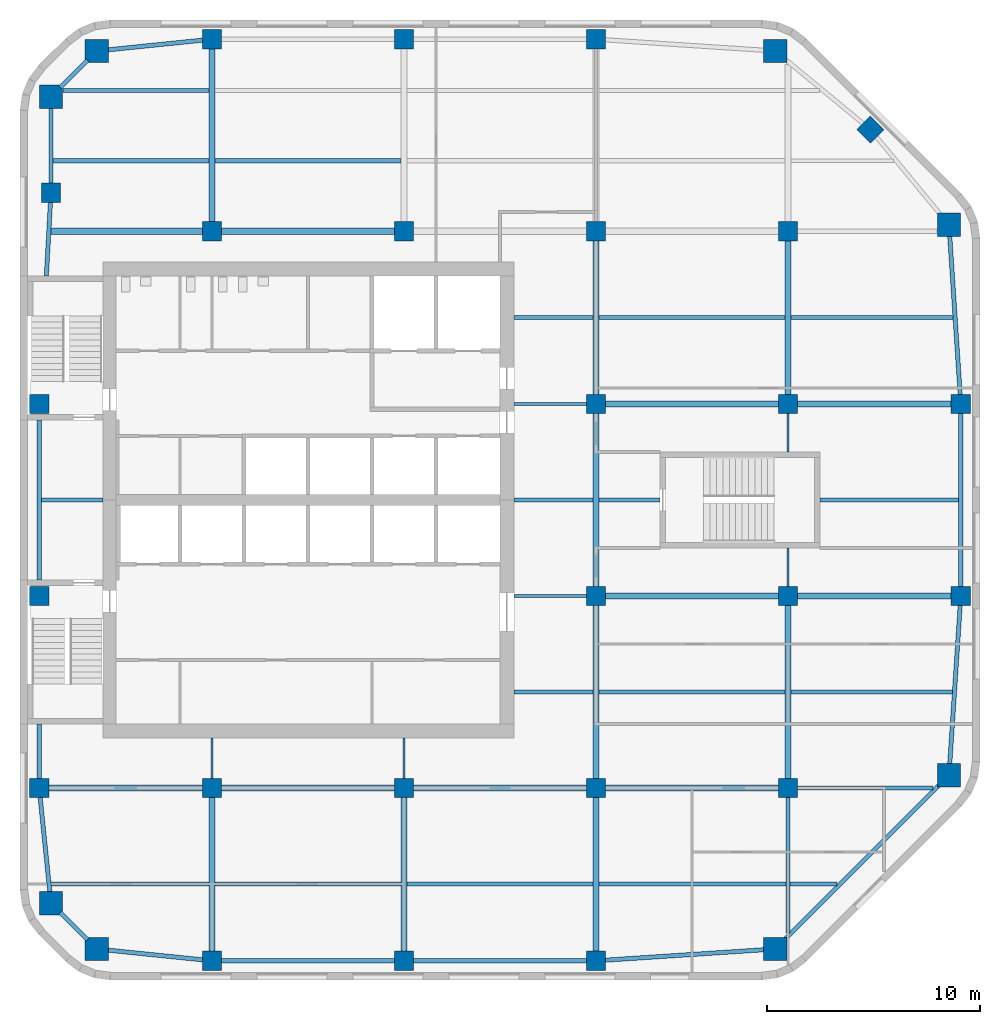
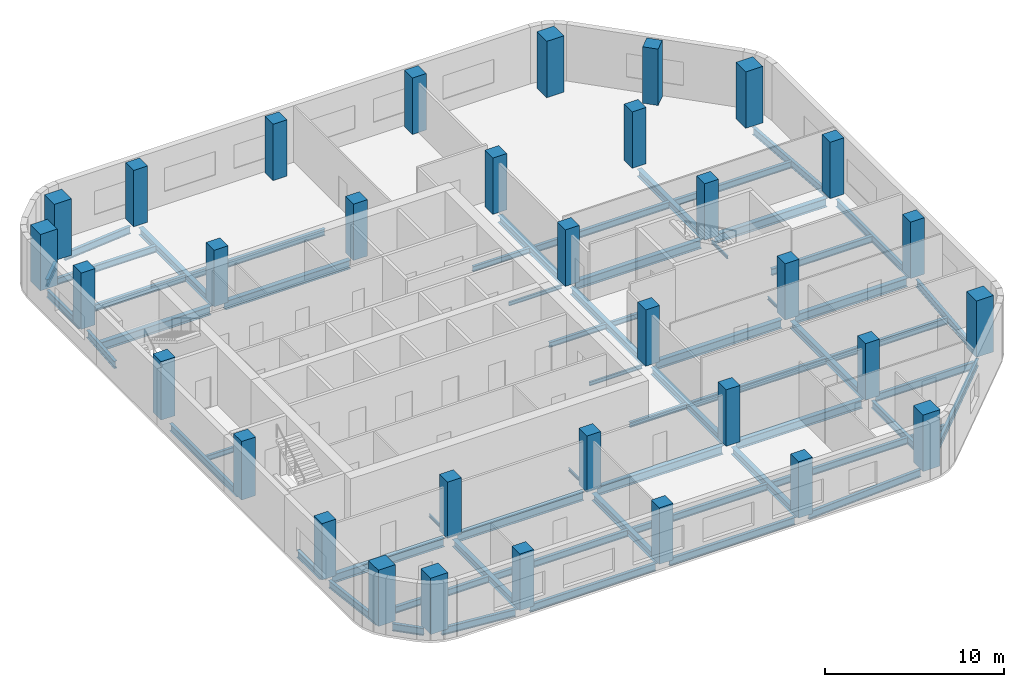
# One storey, part 1 of 7: 61 beams, 33 columns.
"""IFC4 building model written with IfcOpenShell, lengths in metres."""

from ifc_helpers import new_model, si_unit, direction, frame, origin, origin_2d, place, context, subcontext, project, spatial, rectangle, i_section, extrude, material, material_profile, profile_set, type_object, element, save


model = new_model("IFC4")

# Units and contexts
model_context = context("Model", 3, precision=1e-05, world=origin(), true_north=direction((0.0, 1.0)))
body_context = subcontext(model_context, "Body", "Model", "MODEL_VIEW")
ifc_project = project(units=[si_unit("LENGTHUNIT", "METRE"), si_unit("AREAUNIT", "SQUARE_METRE"), si_unit("VOLUMEUNIT", "CUBIC_METRE"), si_unit("PLANEANGLEUNIT", "RADIAN"), si_unit("MASSUNIT", "GRAM", prefix="KILO")], contexts=[model_context])

# Site, building, storey
site_placement = place(None, origin())
site = spatial("IfcSite", under=ifc_project, at=site_placement, CompositionType="ELEMENT")
building_placement = place(site_placement, origin())
building = spatial("IfcBuilding", under=site, at=building_placement, Name="Cinnabar Reach Civic Tower", CompositionType="ELEMENT")
storey_placement = place(building_placement, frame((0.0, 0.0, 169.0)))
storey = spatial("IfcBuildingStorey", under=building, at=storey_placement, Name="L40", CompositionType="ELEMENT", Elevation=169.0)

# Columns
ifc_material_1 = material(Name="Concrete C80", Category="concrete")
ifc_material_profile_1 = material_profile(ifc_material_1, rectangle(XDim=1.1, YDim=1.1, at=origin_2d()), Name="RC1100")
ifc_profile_set_1 = profile_set([ifc_material_profile_1], Name="Concrete C80")
column_type_1 = type_object("IfcColumnType", Name="RC1100 column R 240", PredefinedType="COLUMN", material=ifc_profile_set_1)
for number, where, z_axis, x_axis, name in (
    (1, (3.6019, 10.4531, 0.0), (0.0, 0.0, 1.0), (1.0, 0.0, 0.0), "Column T1-Z3-CC0"),
    (2, (35.3981, 10.4531, 0.0), (0.0, 0.0, 1.0), (1.0, 0.0, 0.0), "Column T1-Z3-CC1"),
    (3, (43.5469, 18.6019, 0.0), (0.0, 0.0, 1.0), (1.0, 0.0, 0.0), "Column T1-Z3-CC2"),
    (4, (43.5469, 44.3981, 0.0), (0.0, 0.0, 1.0), (1.0, 0.0, 0.0), "Column T1-Z3-CC3"),
    (5, (35.3981, 52.5469, 0.0), (0.0, 0.0, 1.0), (1.0, 0.0, 0.0), "Column T1-Z3-CC4"),
    (6, (3.6019, 52.5469, 0.0), (0.0, 0.0, 1.0), (1.0, 0.0, 0.0), "Column T1-Z3-CC5"),
    (7, (1.4531, 50.3981, 0.0), (0.0, 0.0, 1.0), (1.0, 0.0, 0.0), "Column T1-Z3-CC6"),
    (8, (1.4531, 12.6019, 0.0), (0.0, 0.0, 1.0), (1.0, 0.0, 0.0), "Column T1-Z3-CC7"),
):
    element("IfcColumn", number, at=place(storey_placement, frame(where, z_axis=z_axis, x_axis=x_axis)), inside=storey, type_object=column_type_1, Name=name, PredefinedType="COLUMN", context=body_context, shape_type="SweptSolid", body=[
        extrude(rectangle(XDim=1.1, YDim=1.1, at=origin_2d()), origin(), (0.0, 0.0, 1.0), 3.85),
    ])
ifc_material_2 = material(Name="Concrete C70", Category="concrete")
ifc_material_profile_2 = material_profile(ifc_material_2, rectangle(XDim=0.9, YDim=0.9, at=origin_2d()), Name="RC900")
ifc_profile_set_2 = profile_set([ifc_material_profile_2], Name="Concrete C70")
column_type_2 = type_object("IfcColumnType", Name="RC900 column R 240", PredefinedType="COLUMN", material=ifc_profile_set_2)
for number, where, z_axis, x_axis, name in (
    (9, (9.0, 9.9, 0.0), (0.0, 0.0, 1.0), (1.0, 0.0, 0.0), "Column T1-Z3-F0-1"),
    (10, (18.0, 9.9, 0.0), (0.0, 0.0, 1.0), (1.0, 0.0, 0.0), "Column T1-Z3-F0-2"),
    (11, (27.0, 9.9, 0.0), (0.0, 0.0, 1.0), (1.0, 0.0, 0.0), "Column T1-Z3-F0-3"),
    (12, (44.1, 27.0, 0.0), (0.0, 0.0, 1.0), (1.0, 0.0, 0.0), "Column T1-Z3-F2-3"),
    (13, (44.1, 36.0, 0.0), (0.0, 0.0, 1.0), (1.0, 0.0, 0.0), "Column T1-Z3-F2-4"),
    (14, (39.8636, 48.8636, 0.0), (0.0, 0.0, 1.0), (0.707106781187, 0.707106781187, 0.0), "Column T1-Z3-F3-M"),
    (15, (9.0, 53.1, 0.0), (0.0, 0.0, 1.0), (1.0, 0.0, 0.0), "Column T1-Z3-F4-1"),
    (16, (18.0, 53.1, 0.0), (0.0, 0.0, 1.0), (1.0, 0.0, 0.0), "Column T1-Z3-F4-2"),
    (17, (27.0, 53.1, 0.0), (0.0, 0.0, 1.0), (1.0, 0.0, 0.0), "Column T1-Z3-F4-3"),
    (18, (0.9, 18.0, 0.0), (0.0, 0.0, 1.0), (1.0, 0.0, 0.0), "Column T1-Z3-F6-2"),
):
    element("IfcColumn", number, at=place(storey_placement, frame(where, z_axis=z_axis, x_axis=x_axis)), inside=storey, type_object=column_type_2, Name=name, PredefinedType="COLUMN", context=body_context, shape_type="SweptSolid", body=[
        extrude(rectangle(XDim=0.9, YDim=0.9, at=origin_2d()), origin(), (0.0, 0.0, 1.0), 3.85),
    ])
for number, where, z_axis, x_axis, name in (
    (19, (0.9, 27.0, 0.0), (0.0, 0.0, 1.0), (1.0, 0.0, 0.0), "Column T1-Z3-F6-3"),
    (20, (0.9, 36.0, 0.0), (0.0, 0.0, 1.0), (1.0, 0.0, 0.0), "Column T1-Z3-F6-4"),
):
    element("IfcColumn", number, at=place(storey_placement, frame(where, z_axis=z_axis, x_axis=x_axis)), inside=storey, type_object=column_type_2, Name=name, PredefinedType="COLUMN", context=body_context, shape_type="SweptSolid", body=[
        extrude(rectangle(XDim=0.9, YDim=0.9, at=origin_2d()), origin(), (0.0, 0.0, 1.0), 4.0),
    ])
for number, where, z_axis, x_axis, name in (
    (21, (1.4531, 45.8981, 0.0), (0.0, 0.0, 1.0), (1.0, 0.0, 0.0), "Column T1-Z3-F6-5"),
    (22, (9.0, 18.0, 0.0), (0.0, 0.0, 1.0), (1.0, 0.0, 0.0), "Column T1-Z3-I9_18"),
    (23, (9.0, 44.1, 0.0), (0.0, 0.0, 1.0), (1.0, 0.0, 0.0), "Column T1-Z3-I9_45"),
    (24, (18.0, 18.0, 0.0), (0.0, 0.0, 1.0), (1.0, 0.0, 0.0), "Column T1-Z3-I18_18"),
    (25, (18.0, 44.1, 0.0), (0.0, 0.0, 1.0), (1.0, 0.0, 0.0), "Column T1-Z3-I18_45"),
    (26, (27.0, 18.0, 0.0), (0.0, 0.0, 1.0), (1.0, 0.0, 0.0), "Column T1-Z3-I27_18"),
    (27, (27.0, 27.0, 0.0), (0.0, 0.0, 1.0), (1.0, 0.0, 0.0), "Column T1-Z3-I27_27"),
    (28, (27.0, 36.0, 0.0), (0.0, 0.0, 1.0), (1.0, 0.0, 0.0), "Column T1-Z3-I27_36"),
    (29, (27.0, 44.1, 0.0), (0.0, 0.0, 1.0), (1.0, 0.0, 0.0), "Column T1-Z3-I27_45"),
    (30, (36.0, 18.0, 0.0), (0.0, 0.0, 1.0), (1.0, 0.0, 0.0), "Column T1-Z3-I36_18"),
    (31, (36.0, 27.0, 0.0), (0.0, 0.0, 1.0), (1.0, 0.0, 0.0), "Column T1-Z3-I36_27"),
    (32, (36.0, 36.0, 0.0), (0.0, 0.0, 1.0), (1.0, 0.0, 0.0), "Column T1-Z3-I36_36"),
    (33, (36.0, 44.1, 0.0), (0.0, 0.0, 1.0), (1.0, 0.0, 0.0), "Column T1-Z3-I36_45"),
):
    element("IfcColumn", number, at=place(storey_placement, frame(where, z_axis=z_axis, x_axis=x_axis)), inside=storey, type_object=column_type_2, Name=name, PredefinedType="COLUMN", context=body_context, shape_type="SweptSolid", body=[
        extrude(rectangle(XDim=0.9, YDim=0.9, at=origin_2d()), origin(), (0.0, 0.0, 1.0), 3.85),
    ])

# Beams
ifc_material_3 = material(Name="Steel Q355B", Category="steel")
ifc_material_profile_3 = material_profile(ifc_material_3, i_section(OverallWidth=0.3, OverallDepth=0.488, WebThickness=0.011, FlangeThickness=0.018, FilletRadius=0.016, at=origin_2d()), Name="HM488x300x11x18")
ifc_profile_set_3 = profile_set([ifc_material_profile_3], Name="Steel Q355B")
beam_type_1 = type_object("IfcBeamType", Name="HM488x300x11x18 beam R 180", PredefinedType="BEAM", material=ifc_profile_set_3)
beam_1_placement = place(storey_placement, frame((9.0, 10.352, -0.394), z_axis=(0.0, 1.0, 0.0), x_axis=(-1.0, 0.0, 0.0)))
element("IfcBeam", 34, at=beam_1_placement, inside=storey, type_object=beam_type_1, Name="Girder T1 L40 1", PredefinedType="BEAM", context=body_context, shape_type="SweptSolid", body=[
    extrude(i_section(OverallWidth=0.3, OverallDepth=0.488, WebThickness=0.011, FlangeThickness=0.018, FilletRadius=0.016, at=origin_2d()), origin(), (0.0, 0.0, 1.0), 7.196),
])
beam_2_placement = place(storey_placement, frame((9.0, 44.552, -0.394), z_axis=(0.0, 1.0, 0.0), x_axis=(-1.0, 0.0, 0.0)))
element("IfcBeam", 35, at=beam_2_placement, inside=storey, type_object=beam_type_1, Name="Girder T1 L40 3", PredefinedType="BEAM", context=body_context, shape_type="SweptSolid", body=[
    extrude(i_section(OverallWidth=0.3, OverallDepth=0.488, WebThickness=0.011, FlangeThickness=0.018, FilletRadius=0.016, at=origin_2d()), origin(), (0.0, 0.0, 1.0), 8.096),
])
for number, where, z_axis, x_axis, name in (
    (36, (18.0, 10.352, -0.394), (0.0, 1.0, 0.0), (-1.0, 0.0, 0.0), "Girder T1 L40 4"),
    (37, (27.0, 10.352, -0.394), (0.0, 1.0, 0.0), (-1.0, 0.0, 0.0), "Girder T1 L40 7"),
):
    element("IfcBeam", number, at=place(storey_placement, frame(where, z_axis=z_axis, x_axis=x_axis)), inside=storey, type_object=beam_type_1, Name=name, PredefinedType="BEAM", context=body_context, shape_type="SweptSolid", body=[
        extrude(i_section(OverallWidth=0.3, OverallDepth=0.488, WebThickness=0.011, FlangeThickness=0.018, FilletRadius=0.016, at=origin_2d()), origin(), (0.0, 0.0, 1.0), 7.196),
    ])
for number, where, z_axis, x_axis, name in (
    (38, (27.0, 18.452, -0.394), (0.0, 1.0, 0.0), (-1.0, 0.0, 0.0), "Girder T1 L40 8"),
    (39, (27.0, 27.452, -0.394), (0.0, 1.0, 0.0), (-1.0, 0.0, 0.0), "Girder T1 L40 9"),
):
    element("IfcBeam", number, at=place(storey_placement, frame(where, z_axis=z_axis, x_axis=x_axis)), inside=storey, type_object=beam_type_1, Name=name, PredefinedType="BEAM", context=body_context, shape_type="SweptSolid", body=[
        extrude(i_section(OverallWidth=0.3, OverallDepth=0.488, WebThickness=0.011, FlangeThickness=0.018, FilletRadius=0.016, at=origin_2d()), origin(), (0.0, 0.0, 1.0), 8.096),
    ])
beam_3_placement = place(storey_placement, frame((27.0, 36.452, -0.394), z_axis=(0.0, 1.0, 0.0), x_axis=(-1.0, 0.0, 0.0)))
element("IfcBeam", 40, at=beam_3_placement, inside=storey, type_object=beam_type_1, Name="Girder T1 L40 10", PredefinedType="BEAM", context=body_context, shape_type="SweptSolid", body=[
    extrude(i_section(OverallWidth=0.3, OverallDepth=0.488, WebThickness=0.011, FlangeThickness=0.018, FilletRadius=0.016, at=origin_2d()), origin(), (0.0, 0.0, 1.0), 7.196),
])
beam_4_placement = place(storey_placement, frame((36.0, 18.452, -0.394), z_axis=(0.0, 1.0, 0.0), x_axis=(-1.0, 0.0, 0.0)))
element("IfcBeam", 41, at=beam_4_placement, inside=storey, type_object=beam_type_1, Name="Girder T1 L40 13", PredefinedType="BEAM", context=body_context, shape_type="SweptSolid", body=[
    extrude(i_section(OverallWidth=0.3, OverallDepth=0.488, WebThickness=0.011, FlangeThickness=0.018, FilletRadius=0.016, at=origin_2d()), origin(), (0.0, 0.0, 1.0), 8.096),
])
beam_5_placement = place(storey_placement, frame((36.0, 36.452, -0.394), z_axis=(0.0, 1.0, 0.0), x_axis=(-1.0, 0.0, 0.0)))
element("IfcBeam", 42, at=beam_5_placement, inside=storey, type_object=beam_type_1, Name="Girder T1 L40 16", PredefinedType="BEAM", context=body_context, shape_type="SweptSolid", body=[
    extrude(i_section(OverallWidth=0.3, OverallDepth=0.488, WebThickness=0.011, FlangeThickness=0.018, FilletRadius=0.016, at=origin_2d()), origin(), (0.0, 0.0, 1.0), 7.196),
])
ifc_material_profile_4 = material_profile(ifc_material_3, i_section(OverallWidth=0.3, OverallDepth=0.588, WebThickness=0.012, FlangeThickness=0.02, FilletRadius=0.016, at=origin_2d()), Name="HM588x300x12x20")
ifc_profile_set_4 = profile_set([ifc_material_profile_4], Name="Steel Q355B")
beam_type_2 = type_object("IfcBeamType", Name="HM588x300x12x20 beam R 180", PredefinedType="BEAM", material=ifc_profile_set_4)
beam_6_placement = place(storey_placement, frame((1.352, 18.0, -0.444), z_axis=(1.0, 0.0, 0.0), x_axis=(0.0, 1.0, 0.0)))
element("IfcBeam", 43, at=beam_6_placement, inside=storey, type_object=beam_type_2, Name="Girder T1 L40 1", PredefinedType="BEAM", context=body_context, shape_type="SweptSolid", body=[
    extrude(i_section(OverallWidth=0.3, OverallDepth=0.588, WebThickness=0.012, FlangeThickness=0.02, FilletRadius=0.016, at=origin_2d()), origin(), (0.0, 0.0, 1.0), 7.196),
])
for number, where, z_axis, x_axis, name in (
    (44, (9.452, 18.0, -0.444), (1.0, 0.0, 0.0), (0.0, 1.0, 0.0), "Girder T1 L40 2"),
    (45, (18.452, 18.0, -0.444), (1.0, 0.0, 0.0), (0.0, 1.0, 0.0), "Girder T1 L40 3"),
    (46, (27.452, 18.0, -0.444), (1.0, 0.0, 0.0), (0.0, 1.0, 0.0), "Girder T1 L40 4"),
    (47, (27.452, 27.0, -0.444), (1.0, 0.0, 0.0), (0.0, 1.0, 0.0), "Girder T1 L40 7"),
):
    element("IfcBeam", number, at=place(storey_placement, frame(where, z_axis=z_axis, x_axis=x_axis)), inside=storey, type_object=beam_type_2, Name=name, PredefinedType="BEAM", context=body_context, shape_type="SweptSolid", body=[
        extrude(i_section(OverallWidth=0.3, OverallDepth=0.588, WebThickness=0.012, FlangeThickness=0.02, FilletRadius=0.016, at=origin_2d()), origin(), (0.0, 0.0, 1.0), 8.096),
    ])
beam_7_placement = place(storey_placement, frame((36.452, 27.0, -0.444), z_axis=(1.0, 0.0, 0.0), x_axis=(0.0, 1.0, 0.0)))
element("IfcBeam", 48, at=beam_7_placement, inside=storey, type_object=beam_type_2, Name="Girder T1 L40 8", PredefinedType="BEAM", context=body_context, shape_type="SweptSolid", body=[
    extrude(i_section(OverallWidth=0.3, OverallDepth=0.588, WebThickness=0.012, FlangeThickness=0.02, FilletRadius=0.016, at=origin_2d()), origin(), (0.0, 0.0, 1.0), 7.196),
])
beam_8_placement = place(storey_placement, frame((27.452, 36.0, -0.444), z_axis=(1.0, 0.0, 0.0), x_axis=(0.0, 1.0, 0.0)))
element("IfcBeam", 49, at=beam_8_placement, inside=storey, type_object=beam_type_2, Name="Girder T1 L40 10", PredefinedType="BEAM", context=body_context, shape_type="SweptSolid", body=[
    extrude(i_section(OverallWidth=0.3, OverallDepth=0.588, WebThickness=0.012, FlangeThickness=0.02, FilletRadius=0.016, at=origin_2d()), origin(), (0.0, 0.0, 1.0), 8.096),
])
beam_9_placement = place(storey_placement, frame((36.452, 36.0, -0.444), z_axis=(1.0, 0.0, 0.0), x_axis=(0.0, 1.0, 0.0)))
element("IfcBeam", 50, at=beam_9_placement, inside=storey, type_object=beam_type_2, Name="Girder T1 L40 11", PredefinedType="BEAM", context=body_context, shape_type="SweptSolid", body=[
    extrude(i_section(OverallWidth=0.3, OverallDepth=0.588, WebThickness=0.012, FlangeThickness=0.02, FilletRadius=0.016, at=origin_2d()), origin(), (0.0, 0.0, 1.0), 7.196),
])
beam_10_placement = place(storey_placement, frame((1.4548, 44.1, -0.444), z_axis=(1.0, 0.0, 0.0), x_axis=(0.0, 1.0, 0.0)))
element("IfcBeam", 51, at=beam_10_placement, inside=storey, type_object=beam_type_2, Name="Girder T1 L40 12", PredefinedType="BEAM", context=body_context, shape_type="SweptSolid", body=[
    extrude(i_section(OverallWidth=0.3, OverallDepth=0.588, WebThickness=0.012, FlangeThickness=0.02, FilletRadius=0.016, at=origin_2d()), origin(), (0.0, 0.0, 1.0), 7.0932),
])
beam_11_placement = place(storey_placement, frame((9.452, 44.1, -0.444), z_axis=(1.0, 0.0, 0.0), x_axis=(0.0, 1.0, 0.0)))
element("IfcBeam", 52, at=beam_11_placement, inside=storey, type_object=beam_type_2, Name="Girder T1 L40 13", PredefinedType="BEAM", context=body_context, shape_type="SweptSolid", body=[
    extrude(i_section(OverallWidth=0.3, OverallDepth=0.588, WebThickness=0.012, FlangeThickness=0.02, FilletRadius=0.016, at=origin_2d()), origin(), (0.0, 0.0, 1.0), 8.096),
])
ifc_material_profile_5 = material_profile(ifc_material_3, i_section(OverallWidth=0.099, OverallDepth=0.198, WebThickness=0.0045, FlangeThickness=0.007, FilletRadius=0.013, at=origin_2d()), Name="HN200x100x5.5x8")
ifc_profile_set_5 = profile_set([ifc_material_profile_5], Name="Steel Q355B")
beam_type_3 = type_object("IfcBeamType", Name="HN200x100x5.5x8 beam R 180", PredefinedType="BEAM", material=ifc_profile_set_5)
for number, where, z_axis, x_axis, name in (
    (53, (9.0, 18.452, -0.249), (0.0, 1.0, 0.0), (-1.0, 0.0, 0.0), "Girder T1 L40 2"),
    (54, (18.0, 18.452, -0.249), (0.0, 1.0, 0.0), (-1.0, 0.0, 0.0), "Girder T1 L40 5"),
):
    element("IfcBeam", number, at=place(storey_placement, frame(where, z_axis=z_axis, x_axis=x_axis)), inside=storey, type_object=beam_type_3, Name=name, PredefinedType="BEAM", context=body_context, shape_type="SweptSolid", body=[
        extrude(i_section(OverallWidth=0.099, OverallDepth=0.198, WebThickness=0.0045, FlangeThickness=0.007, FilletRadius=0.013, at=origin_2d()), origin(), (0.0, 0.0, 1.0), 1.896),
    ])
for number, where, z_axis, x_axis, name in (
    (55, (36.0, 27.452, -0.249), (0.0, 1.0, 0.0), (-1.0, 0.0, 0.0), "Girder T1 L40 14"),
    (56, (36.0, 33.752, -0.249), (0.0, 1.0, 0.0), (-1.0, 0.0, 0.0), "Girder T1 L40 15"),
):
    element("IfcBeam", number, at=place(storey_placement, frame(where, z_axis=z_axis, x_axis=x_axis)), inside=storey, type_object=beam_type_3, Name=name, PredefinedType="BEAM", context=body_context, shape_type="SweptSolid", body=[
        extrude(i_section(OverallWidth=0.099, OverallDepth=0.198, WebThickness=0.0045, FlangeThickness=0.007, FilletRadius=0.013, at=origin_2d()), origin(), (0.0, 0.0, 1.0), 1.796),
    ])
ifc_material_profile_6 = material_profile(ifc_material_3, i_section(OverallWidth=0.124, OverallDepth=0.248, WebThickness=0.005, FlangeThickness=0.008, FilletRadius=0.013, at=origin_2d()), Name="HN250x125x6x9")
ifc_profile_set_6 = profile_set([ifc_material_profile_6], Name="Steel Q355B")
beam_type_4 = type_object("IfcBeamType", Name="HN250x125x6x9 beam R 180", PredefinedType="BEAM", material=ifc_profile_set_6)
for number, where, z_axis, x_axis, name in (
    (57, (23.152, 27.0, -0.274), (1.0, 0.0, 0.0), (0.0, 1.0, 0.0), "Girder T1 L40 6"),
    (58, (23.152, 36.0, -0.274), (1.0, 0.0, 0.0), (0.0, 1.0, 0.0), "Girder T1 L40 9"),
):
    element("IfcBeam", number, at=place(storey_placement, frame(where, z_axis=z_axis, x_axis=x_axis)), inside=storey, type_object=beam_type_4, Name=name, PredefinedType="BEAM", context=body_context, shape_type="SweptSolid", body=[
        extrude(i_section(OverallWidth=0.124, OverallDepth=0.248, WebThickness=0.005, FlangeThickness=0.008, FilletRadius=0.013, at=origin_2d()), origin(), (0.0, 0.0, 1.0), 3.396),
    ])
ifc_material_profile_7 = material_profile(ifc_material_3, i_section(OverallWidth=0.175, OverallDepth=0.35, WebThickness=0.007, FlangeThickness=0.011, FilletRadius=0.013, at=origin_2d()), Name="HN350x175x7x11")
ifc_profile_set_7 = profile_set([ifc_material_profile_7], Name="Steel Q355B")
beam_type_5 = type_object("IfcBeamType", Name="HN350x175x7x11 beam R 180", PredefinedType="BEAM", material=ifc_profile_set_7)
beam_12_placement = place(storey_placement, frame((36.102, 13.5, -0.325), z_axis=(1.0, 0.0, 0.0), x_axis=(0.0, 1.0, 0.0)))
element("IfcBeam", 59, at=beam_12_placement, inside=storey, type_object=beam_type_5, Name="Secondary beam T1 L40 5", PredefinedType="BEAM", context=body_context, shape_type="SweptSolid", body=[
    extrude(i_section(OverallWidth=0.175, OverallDepth=0.35, WebThickness=0.007, FlangeThickness=0.011, FilletRadius=0.013, at=origin_2d()), origin(), (0.0, 0.0, 1.0), 2.1988),
])
beam_13_placement = place(storey_placement, frame((23.152, 22.5, -0.325), z_axis=(1.0, 0.0, 0.0), x_axis=(0.0, 1.0, 0.0)))
element("IfcBeam", 60, at=beam_13_placement, inside=storey, type_object=beam_type_5, Name="Secondary beam T1 L40 6", PredefinedType="BEAM", context=body_context, shape_type="SweptSolid", body=[
    extrude(i_section(OverallWidth=0.175, OverallDepth=0.35, WebThickness=0.007, FlangeThickness=0.011, FilletRadius=0.013, at=origin_2d()), origin(), (0.0, 0.0, 1.0), 3.696),
])
beam_14_placement = place(storey_placement, frame((1.002, 31.5, -0.325), z_axis=(1.0, 0.0, 0.0), x_axis=(0.0, 1.0, 0.0)))
element("IfcBeam", 61, at=beam_14_placement, inside=storey, type_object=beam_type_5, Name="Secondary beam T1 L40 9", PredefinedType="BEAM", context=body_context, shape_type="SweptSolid", body=[
    extrude(i_section(OverallWidth=0.175, OverallDepth=0.35, WebThickness=0.007, FlangeThickness=0.011, FilletRadius=0.013, at=origin_2d()), origin(), (0.0, 0.0, 1.0), 2.896),
])
beam_15_placement = place(storey_placement, frame((23.152, 31.5, -0.325), z_axis=(1.0, 0.0, 0.0), x_axis=(0.0, 1.0, 0.0)))
element("IfcBeam", 62, at=beam_15_placement, inside=storey, type_object=beam_type_5, Name="Secondary beam T1 L40 10", PredefinedType="BEAM", context=body_context, shape_type="SweptSolid", body=[
    extrude(i_section(OverallWidth=0.175, OverallDepth=0.35, WebThickness=0.007, FlangeThickness=0.011, FilletRadius=0.013, at=origin_2d()), origin(), (0.0, 0.0, 1.0), 3.696),
])
beam_16_placement = place(storey_placement, frame((27.152, 31.5, -0.325), z_axis=(1.0, 0.0, 0.0), x_axis=(0.0, 1.0, 0.0)))
element("IfcBeam", 63, at=beam_16_placement, inside=storey, type_object=beam_type_5, Name="Secondary beam T1 L40 11", PredefinedType="BEAM", context=body_context, shape_type="SweptSolid", body=[
    extrude(i_section(OverallWidth=0.175, OverallDepth=0.35, WebThickness=0.007, FlangeThickness=0.011, FilletRadius=0.013, at=origin_2d()), origin(), (0.0, 0.0, 1.0), 2.846),
])
beam_17_placement = place(storey_placement, frame((23.152, 40.05, -0.325), z_axis=(1.0, 0.0, 0.0), x_axis=(0.0, 1.0, 0.0)))
element("IfcBeam", 64, at=beam_17_placement, inside=storey, type_object=beam_type_5, Name="Secondary beam T1 L40 13", PredefinedType="BEAM", context=body_context, shape_type="SweptSolid", body=[
    extrude(i_section(OverallWidth=0.175, OverallDepth=0.35, WebThickness=0.007, FlangeThickness=0.011, FilletRadius=0.013, at=origin_2d()), origin(), (0.0, 0.0, 1.0), 3.696),
])
ifc_material_profile_8 = material_profile(ifc_material_3, i_section(OverallWidth=0.2, OverallDepth=0.45, WebThickness=0.009, FlangeThickness=0.014, FilletRadius=0.016, at=origin_2d()), Name="HN450x200x9x14")
ifc_profile_set_8 = profile_set([ifc_material_profile_8], Name="Steel Q355B")
beam_type_6 = type_object("IfcBeamType", Name="HN450x200x9x14 beam R 180", PredefinedType="BEAM", material=ifc_profile_set_8)
beam_18_placement = place(storey_placement, frame((1.4636, 13.5, -0.375), z_axis=(1.0, 0.0, 0.0), x_axis=(0.0, 1.0, 0.0)))
element("IfcBeam", 65, at=beam_18_placement, inside=storey, type_object=beam_type_6, Name="Secondary beam T1 L40 1", PredefinedType="BEAM", context=body_context, shape_type="SweptSolid", body=[
    extrude(i_section(OverallWidth=0.2, OverallDepth=0.45, WebThickness=0.009, FlangeThickness=0.014, FilletRadius=0.016, at=origin_2d()), origin(), (0.0, 0.0, 1.0), 7.3844),
])
for number, where, z_axis, x_axis, name in (
    (66, (9.152, 13.5, -0.375), (1.0, 0.0, 0.0), (0.0, 1.0, 0.0), "Secondary beam T1 L40 2"),
    (67, (18.152, 13.5, -0.375), (1.0, 0.0, 0.0), (0.0, 1.0, 0.0), "Secondary beam T1 L40 3"),
):
    element("IfcBeam", number, at=place(storey_placement, frame(where, z_axis=z_axis, x_axis=x_axis)), inside=storey, type_object=beam_type_6, Name=name, PredefinedType="BEAM", context=body_context, shape_type="SweptSolid", body=[
        extrude(i_section(OverallWidth=0.2, OverallDepth=0.45, WebThickness=0.009, FlangeThickness=0.014, FilletRadius=0.016, at=origin_2d()), origin(), (0.0, 0.0, 1.0), 8.696),
    ])
beam_19_placement = place(storey_placement, frame((27.152, 13.5, -0.375), z_axis=(1.0, 0.0, 0.0), x_axis=(0.0, 1.0, 0.0)))
element("IfcBeam", 68, at=beam_19_placement, inside=storey, type_object=beam_type_6, Name="Secondary beam T1 L40 4", PredefinedType="BEAM", context=body_context, shape_type="SweptSolid", body=[
    extrude(i_section(OverallWidth=0.2, OverallDepth=0.45, WebThickness=0.009, FlangeThickness=0.014, FilletRadius=0.016, at=origin_2d()), origin(), (0.0, 0.0, 1.0), 8.746),
])
beam_20_placement = place(storey_placement, frame((27.152, 22.5, -0.375), z_axis=(1.0, 0.0, 0.0), x_axis=(0.0, 1.0, 0.0)))
element("IfcBeam", 69, at=beam_20_placement, inside=storey, type_object=beam_type_6, Name="Secondary beam T1 L40 7", PredefinedType="BEAM", context=body_context, shape_type="SweptSolid", body=[
    extrude(i_section(OverallWidth=0.2, OverallDepth=0.45, WebThickness=0.009, FlangeThickness=0.014, FilletRadius=0.016, at=origin_2d()), origin(), (0.0, 0.0, 1.0), 8.696),
])
beam_21_placement = place(storey_placement, frame((36.152, 22.5, -0.375), z_axis=(1.0, 0.0, 0.0), x_axis=(0.0, 1.0, 0.0)))
element("IfcBeam", 70, at=beam_21_placement, inside=storey, type_object=beam_type_6, Name="Secondary beam T1 L40 8", PredefinedType="BEAM", context=body_context, shape_type="SweptSolid", body=[
    extrude(i_section(OverallWidth=0.2, OverallDepth=0.45, WebThickness=0.009, FlangeThickness=0.014, FilletRadius=0.016, at=origin_2d()), origin(), (0.0, 0.0, 1.0), 7.5494),
])
beam_22_placement = place(storey_placement, frame((37.502, 31.5, -0.375), z_axis=(1.0, 0.0, 0.0), x_axis=(0.0, 1.0, 0.0)))
element("IfcBeam", 71, at=beam_22_placement, inside=storey, type_object=beam_type_6, Name="Secondary beam T1 L40 12", PredefinedType="BEAM", context=body_context, shape_type="SweptSolid", body=[
    extrude(i_section(OverallWidth=0.2, OverallDepth=0.45, WebThickness=0.009, FlangeThickness=0.014, FilletRadius=0.016, at=origin_2d()), origin(), (0.0, 0.0, 1.0), 6.496),
])
beam_23_placement = place(storey_placement, frame((27.152, 40.05, -0.375), z_axis=(1.0, 0.0, 0.0), x_axis=(0.0, 1.0, 0.0)))
element("IfcBeam", 72, at=beam_23_placement, inside=storey, type_object=beam_type_6, Name="Secondary beam T1 L40 14", PredefinedType="BEAM", context=body_context, shape_type="SweptSolid", body=[
    extrude(i_section(OverallWidth=0.2, OverallDepth=0.45, WebThickness=0.009, FlangeThickness=0.014, FilletRadius=0.016, at=origin_2d()), origin(), (0.0, 0.0, 1.0), 8.696),
])
beam_24_placement = place(storey_placement, frame((36.152, 40.05, -0.375), z_axis=(1.0, 0.0, 0.0), x_axis=(0.0, 1.0, 0.0)))
element("IfcBeam", 73, at=beam_24_placement, inside=storey, type_object=beam_type_6, Name="Secondary beam T1 L40 15", PredefinedType="BEAM", context=body_context, shape_type="SweptSolid", body=[
    extrude(i_section(OverallWidth=0.2, OverallDepth=0.45, WebThickness=0.009, FlangeThickness=0.014, FilletRadius=0.016, at=origin_2d()), origin(), (0.0, 0.0, 1.0), 7.579),
])
beam_25_placement = place(storey_placement, frame((1.5551, 47.4, -0.375), z_axis=(1.0, 0.0, 0.0), x_axis=(0.0, 1.0, 0.0)))
element("IfcBeam", 74, at=beam_25_placement, inside=storey, type_object=beam_type_6, Name="Secondary beam T1 L40 16", PredefinedType="BEAM", context=body_context, shape_type="SweptSolid", body=[
    extrude(i_section(OverallWidth=0.2, OverallDepth=0.45, WebThickness=0.009, FlangeThickness=0.014, FilletRadius=0.016, at=origin_2d()), origin(), (0.0, 0.0, 1.0), 7.2929),
])
beam_26_placement = place(storey_placement, frame((9.152, 47.4, -0.375), z_axis=(1.0, 0.0, 0.0), x_axis=(0.0, 1.0, 0.0)))
element("IfcBeam", 75, at=beam_26_placement, inside=storey, type_object=beam_type_6, Name="Secondary beam T1 L40 17", PredefinedType="BEAM", context=body_context, shape_type="SweptSolid", body=[
    extrude(i_section(OverallWidth=0.2, OverallDepth=0.45, WebThickness=0.009, FlangeThickness=0.014, FilletRadius=0.016, at=origin_2d()), origin(), (0.0, 0.0, 1.0), 8.696),
])
beam_27_placement = place(storey_placement, frame((2.0051, 50.7, -0.375), z_axis=(1.0, 0.0, 0.0), x_axis=(0.0, 1.0, 0.0)))
element("IfcBeam", 76, at=beam_27_placement, inside=storey, type_object=beam_type_6, Name="Secondary beam T1 L40 21", PredefinedType="BEAM", context=body_context, shape_type="SweptSolid", body=[
    extrude(i_section(OverallWidth=0.2, OverallDepth=0.45, WebThickness=0.009, FlangeThickness=0.014, FilletRadius=0.016, at=origin_2d()), origin(), (0.0, 0.0, 1.0), 6.8429),
])
ifc_material_profile_9 = material_profile(ifc_material_3, i_section(OverallWidth=0.2, OverallDepth=0.5, WebThickness=0.01, FlangeThickness=0.016, FilletRadius=0.016, at=origin_2d()), Name="HN500x200x10x16")
ifc_profile_set_9 = profile_set([ifc_material_profile_9], Name="Steel Q355B")
beam_type_7 = type_object("IfcBeamType", Name="HN500x200x10x16 beam R 180", PredefinedType="BEAM", material=ifc_profile_set_9)
beam_28_placement = place(storey_placement, frame((4.0339, 10.4088, -0.4), z_axis=(0.994792272495, -0.101923179821, 0.0), x_axis=(0.101923179821, 0.994792272495, 0.0)))
element("IfcBeam", 77, at=beam_28_placement, inside=storey, type_object=beam_type_7, Name="Edge beam T1 L40 1", PredefinedType="BEAM", context=body_context, shape_type="SweptSolid", body=[
    extrude(i_section(OverallWidth=0.2, OverallDepth=0.5, WebThickness=0.01, FlangeThickness=0.016, FilletRadius=0.016, at=origin_2d()), origin(), (0.0, 0.0, 1.0), 4.5377),
])
for number, where, z_axis, x_axis, name in (
    (78, (9.452, 9.9, -0.4), (1.0, 0.0, 0.0), (0.0, 1.0, 0.0), "Edge beam T1 L40 2"),
    (79, (18.452, 9.9, -0.4), (1.0, 0.0, 0.0), (0.0, 1.0, 0.0), "Edge beam T1 L40 3"),
):
    element("IfcBeam", number, at=place(storey_placement, frame(where, z_axis=z_axis, x_axis=x_axis)), inside=storey, type_object=beam_type_7, Name=name, PredefinedType="BEAM", context=body_context, shape_type="SweptSolid", body=[
        extrude(i_section(OverallWidth=0.2, OverallDepth=0.5, WebThickness=0.01, FlangeThickness=0.016, FilletRadius=0.016, at=origin_2d()), origin(), (0.0, 0.0, 1.0), 8.096),
    ])
beam_29_placement = place(storey_placement, frame((27.452, 9.9298, -0.4), z_axis=(0.99783894477, 0.065707231721, 0.0), x_axis=(-0.065707231721, 0.99783894477, 0.0)))
element("IfcBeam", 80, at=beam_29_placement, inside=storey, type_object=beam_type_7, Name="Edge beam T1 L40 4", PredefinedType="BEAM", context=body_context, shape_type="SweptSolid", body=[
    extrude(i_section(OverallWidth=0.2, OverallDepth=0.5, WebThickness=0.01, FlangeThickness=0.016, FilletRadius=0.016, at=origin_2d()), origin(), (0.0, 0.0, 1.0), 7.5304),
])
beam_30_placement = place(storey_placement, frame((35.8301, 10.8851, -0.4), z_axis=(0.707106781187, 0.707106781187, 0.0), x_axis=(-0.707106781187, 0.707106781187, 0.0)))
element("IfcBeam", 81, at=beam_30_placement, inside=storey, type_object=beam_type_7, Name="Edge beam T1 L40 5", PredefinedType="BEAM", context=body_context, shape_type="SweptSolid", body=[
    extrude(i_section(OverallWidth=0.2, OverallDepth=0.5, WebThickness=0.01, FlangeThickness=0.016, FilletRadius=0.016, at=origin_2d()), origin(), (0.0, 0.0, 1.0), 10.3023),
])
beam_31_placement = place(storey_placement, frame((43.5754, 19.0339, -0.4), z_axis=(0.065707231721, 0.99783894477, 0.0), x_axis=(-0.99783894477, 0.065707231721, 0.0)))
element("IfcBeam", 82, at=beam_31_placement, inside=storey, type_object=beam_type_7, Name="Edge beam T1 L40 6", PredefinedType="BEAM", context=body_context, shape_type="SweptSolid", body=[
    extrude(i_section(OverallWidth=0.2, OverallDepth=0.5, WebThickness=0.01, FlangeThickness=0.016, FilletRadius=0.016, at=origin_2d()), origin(), (0.0, 0.0, 1.0), 7.5304),
])
beam_32_placement = place(storey_placement, frame((44.1, 27.452, -0.4), z_axis=(0.0, 1.0, 0.0), x_axis=(-1.0, 0.0, 0.0)))
element("IfcBeam", 83, at=beam_32_placement, inside=storey, type_object=beam_type_7, Name="Edge beam T1 L40 7", PredefinedType="BEAM", context=body_context, shape_type="SweptSolid", body=[
    extrude(i_section(OverallWidth=0.2, OverallDepth=0.5, WebThickness=0.01, FlangeThickness=0.016, FilletRadius=0.016, at=origin_2d()), origin(), (0.0, 0.0, 1.0), 8.096),
])
beam_33_placement = place(storey_placement, frame((44.0702, 36.452, -0.4), z_axis=(-0.065707231721, 0.99783894477, 0.0), x_axis=(-0.99783894477, -0.065707231721, 0.0)))
element("IfcBeam", 84, at=beam_33_placement, inside=storey, type_object=beam_type_7, Name="Edge beam T1 L40 8", PredefinedType="BEAM", context=body_context, shape_type="SweptSolid", body=[
    extrude(i_section(OverallWidth=0.2, OverallDepth=0.5, WebThickness=0.01, FlangeThickness=0.016, FilletRadius=0.016, at=origin_2d()), origin(), (0.0, 0.0, 1.0), 7.5304),
])
beam_34_placement = place(storey_placement, frame((8.548, 53.0537, -0.4), z_axis=(-0.994792272495, -0.101923179821, 0.0), x_axis=(0.101923179821, -0.994792272495, 0.0)))
element("IfcBeam", 85, at=beam_34_placement, inside=storey, type_object=beam_type_7, Name="Edge beam T1 L40 14", PredefinedType="BEAM", context=body_context, shape_type="SweptSolid", body=[
    extrude(i_section(OverallWidth=0.2, OverallDepth=0.5, WebThickness=0.01, FlangeThickness=0.016, FilletRadius=0.016, at=origin_2d()), origin(), (0.0, 0.0, 1.0), 4.5377),
])
beam_35_placement = place(storey_placement, frame((3.1699, 52.1149, -0.4), z_axis=(-0.707106781187, -0.707106781187, 0.0), x_axis=(0.707106781187, -0.707106781187, 0.0)))
element("IfcBeam", 86, at=beam_35_placement, inside=storey, type_object=beam_type_7, Name="Edge beam T1 L40 15", PredefinedType="BEAM", context=body_context, shape_type="SweptSolid", body=[
    extrude(i_section(OverallWidth=0.2, OverallDepth=0.5, WebThickness=0.01, FlangeThickness=0.016, FilletRadius=0.016, at=origin_2d()), origin(), (0.0, 0.0, 1.0), 1.817),
])
beam_36_placement = place(storey_placement, frame((1.4531, 49.9661, -0.4), z_axis=(0.0, -1.0, 0.0), x_axis=(1.0, 0.0, 0.0)))
element("IfcBeam", 87, at=beam_36_placement, inside=storey, type_object=beam_type_7, Name="Edge beam T1 L40 16", PredefinedType="BEAM", context=body_context, shape_type="SweptSolid", body=[
    extrude(i_section(OverallWidth=0.2, OverallDepth=0.5, WebThickness=0.01, FlangeThickness=0.016, FilletRadius=0.016, at=origin_2d()), origin(), (0.0, 0.0, 1.0), 3.616),
])
beam_37_placement = place(storey_placement, frame((1.4278, 45.4461, -0.4), z_axis=(-0.0557766862, -0.998443268932, 0.0), x_axis=(0.998443268932, -0.0557766862, 0.0)))
element("IfcBeam", 88, at=beam_37_placement, inside=storey, type_object=beam_type_7, Name="Edge beam T1 L40 17", PredefinedType="BEAM", context=body_context, shape_type="SweptSolid", body=[
    extrude(i_section(OverallWidth=0.2, OverallDepth=0.5, WebThickness=0.01, FlangeThickness=0.016, FilletRadius=0.016, at=origin_2d()), origin(), (0.0, 0.0, 1.0), 3.4495),
])
beam_38_placement = place(storey_placement, frame((0.9, 35.248, -0.4), z_axis=(0.0, -1.0, 0.0), x_axis=(1.0, 0.0, 0.0)))
element("IfcBeam", 89, at=beam_38_placement, inside=storey, type_object=beam_type_7, Name="Edge beam T1 L40 18", PredefinedType="BEAM", context=body_context, shape_type="SweptSolid", body=[
    extrude(i_section(OverallWidth=0.2, OverallDepth=0.5, WebThickness=0.01, FlangeThickness=0.016, FilletRadius=0.016, at=origin_2d()), origin(), (0.0, 0.0, 1.0), 7.496),
])
beam_39_placement = place(storey_placement, frame((0.9, 20.998, -0.4), z_axis=(0.0, -1.0, 0.0), x_axis=(1.0, 0.0, 0.0)))
element("IfcBeam", 90, at=beam_39_placement, inside=storey, type_object=beam_type_7, Name="Edge beam T1 L40 19", PredefinedType="BEAM", context=body_context, shape_type="SweptSolid", body=[
    extrude(i_section(OverallWidth=0.2, OverallDepth=0.5, WebThickness=0.01, FlangeThickness=0.016, FilletRadius=0.016, at=origin_2d()), origin(), (0.0, 0.0, 1.0), 2.546),
])
beam_40_placement = place(storey_placement, frame((0.9463, 17.548, -0.4), z_axis=(0.101923179821, -0.994792272495, 0.0), x_axis=(0.994792272495, 0.101923179821, 0.0)))
element("IfcBeam", 91, at=beam_40_placement, inside=storey, type_object=beam_type_7, Name="Edge beam T1 L40 20", PredefinedType="BEAM", context=body_context, shape_type="SweptSolid", body=[
    extrude(i_section(OverallWidth=0.2, OverallDepth=0.5, WebThickness=0.01, FlangeThickness=0.016, FilletRadius=0.016, at=origin_2d()), origin(), (0.0, 0.0, 1.0), 4.5377),
])
beam_41_placement = place(storey_placement, frame((1.8851, 12.1699, -0.4), z_axis=(0.707106781187, -0.707106781187, 0.0), x_axis=(0.707106781187, 0.707106781187, 0.0)))
element("IfcBeam", 92, at=beam_41_placement, inside=storey, type_object=beam_type_7, Name="Edge beam T1 L40 21", PredefinedType="BEAM", context=body_context, shape_type="SweptSolid", body=[
    extrude(i_section(OverallWidth=0.2, OverallDepth=0.5, WebThickness=0.01, FlangeThickness=0.016, FilletRadius=0.016, at=origin_2d()), origin(), (0.0, 0.0, 1.0), 1.817),
])
for number, where, z_axis, x_axis, name in (
    (93, (36.452, 18.0, -0.4), (1.0, 0.0, 0.0), (0.0, 1.0, 0.0), "Girder T1 L40 5"),
    (94, (36.0, 11.1992, -0.4), (0.0, 1.0, 0.0), (-1.0, 0.0, 0.0), "Girder T1 L40 12"),
):
    element("IfcBeam", number, at=place(storey_placement, frame(where, z_axis=z_axis, x_axis=x_axis)), inside=storey, type_object=beam_type_7, Name=name, PredefinedType="BEAM", context=body_context, shape_type="SweptSolid", body=[
        extrude(i_section(OverallWidth=0.2, OverallDepth=0.5, WebThickness=0.01, FlangeThickness=0.016, FilletRadius=0.016, at=origin_2d()), origin(), (0.0, 0.0, 1.0), 6.3488),
    ])

save(model, "model.ifc")
